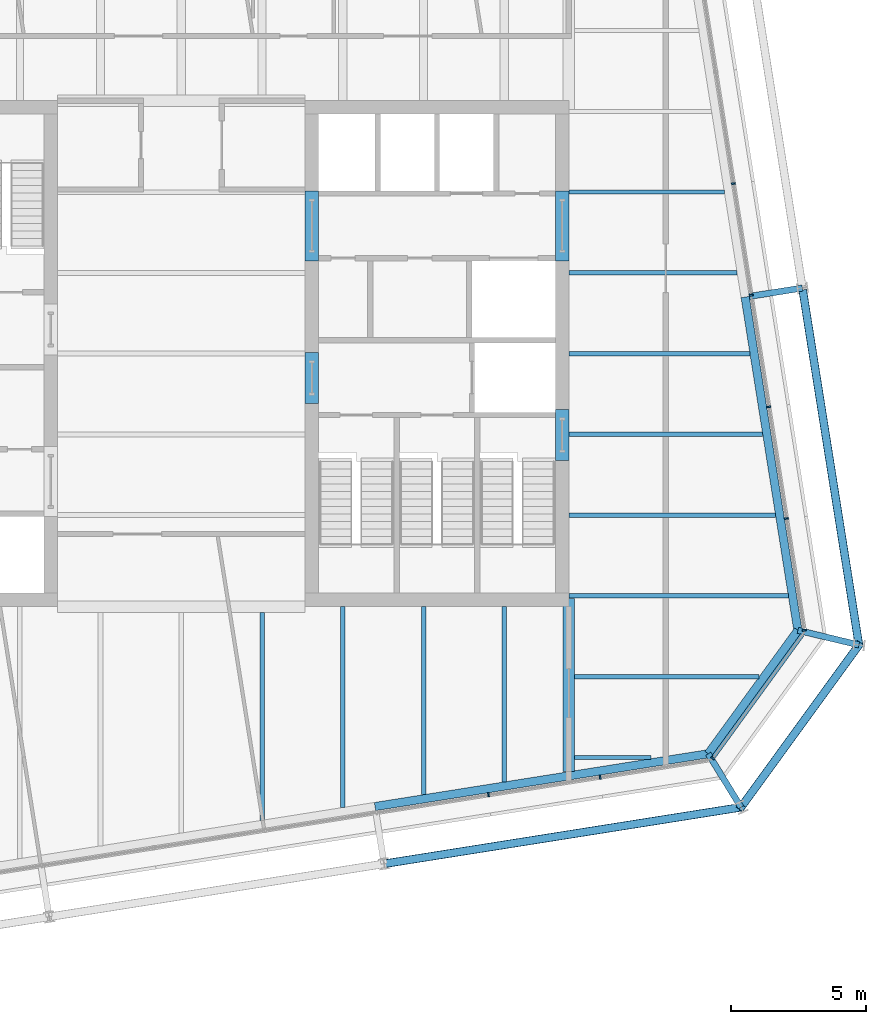
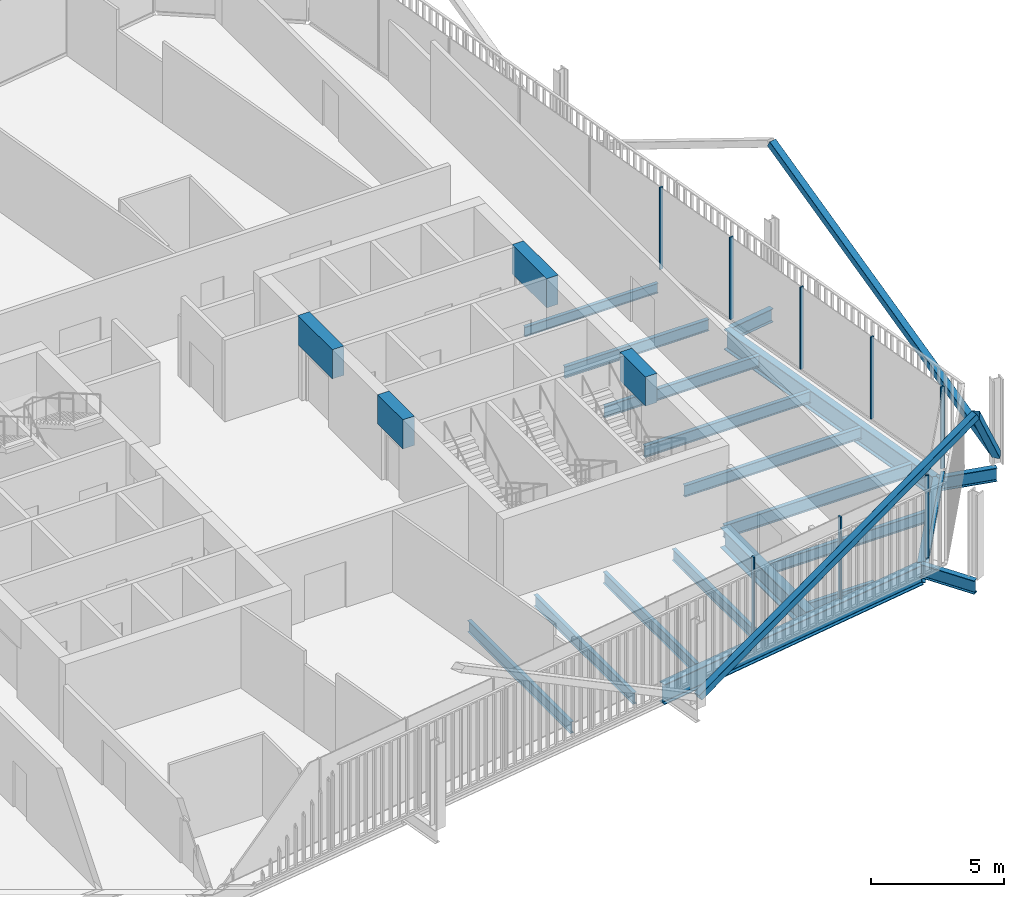
# One storey, part 9 of 21: 23 beams, 12 members, 3 elements without a shape of their own.
"""IFC4 building model written with IfcOpenShell, lengths in metres."""

from ifc_helpers import new_model, si_unit, direction, frame, origin, origin_2d, place, context, subcontext, project, spatial, rectangle, hollow_rectangle, i_section, extrude, material, layer, layer_set, material_profile, profile_set, type_object, element, aggregate, save


model = new_model("IFC4")

# Units and contexts
model_context = context("Model", 3, precision=1e-05, world=origin(), true_north=direction((0.0, 1.0)))
body_context = subcontext(model_context, "Body", "Model", "MODEL_VIEW")
ifc_project = project(units=[si_unit("LENGTHUNIT", "METRE"), si_unit("AREAUNIT", "SQUARE_METRE"), si_unit("VOLUMEUNIT", "CUBIC_METRE"), si_unit("PLANEANGLEUNIT", "RADIAN"), si_unit("MASSUNIT", "GRAM", prefix="KILO")], contexts=[model_context])

# Site, building, storey
site_placement = place(None, origin())
site = spatial("IfcSite", under=ifc_project, at=site_placement, CompositionType="ELEMENT")
building_placement = place(site_placement, origin())
building = spatial("IfcBuilding", under=site, at=building_placement, Name="Millrace Tower", CompositionType="ELEMENT")
storey_placement = place(building_placement, frame((0.0, 0.0, 247.39990234375)))
storey = spatial("IfcBuildingStorey", under=building, at=storey_placement, Name="L56", CompositionType="ELEMENT", Elevation=247.39990234375)

# Curtain wall, members
ifc_material_1 = material(Name="Aluminium and glass", Category="aluminium")
ifc_layer = layer(ifc_material_1, 0.14990234375)
ifc_layer_set = layer_set([ifc_layer], Name="Aluminium and glass")
curtain_wall_type = type_object("IfcCurtainWallType", Name="CW-1 office vision curtain wall", PredefinedType="NOTDEFINED", material=ifc_layer_set)
placement = place(storey_placement, origin())
curtain_wall_1 = element("IfcCurtainWall", 1, at=placement, inside=storey, type_object=curtain_wall_type, Name="Curtain wall D-F02 L56", PredefinedType="NOTDEFINED")
ifc_material_2 = material(Name="Aluminium", Category="aluminium")
ifc_material_profile_1 = material_profile(ifc_material_2, rectangle(XDim=0.06494140625, YDim=0.14990234375, at=origin_2d()))
ifc_profile_set_1 = profile_set([ifc_material_profile_1], Name="Aluminium")
member_type_1 = type_object("IfcMemberType", Name="CW-1 office vision curtain wall mullion", PredefinedType="MULLION", material=ifc_profile_set_1)
member_1_placement = place(storey_placement, frame((11.41259765625, -16.393310546875, 0.14013671875), z_axis=(0.0, 0.0, 1.0), x_axis=(0.987688339511, 0.156434471884, 0.0)))
member_1 = element("IfcMember", 2, at=member_1_placement, type_object=member_type_1, Name="CW1 mullion D-F02.8", PredefinedType="MULLION", context=body_context, shape_type="SweptSolid", body=[
    extrude(rectangle(XDim=0.06494140625, YDim=0.14990234375, at=origin_2d()), origin(), (0.0, 0.0, 1.0), 3.760009765625),
])
member_2_placement = place(storey_placement, frame((15.560791015625, -15.736328125, 0.14013671875), z_axis=(0.0, 0.0, 1.0), x_axis=(0.987688339511, 0.156434471884, 0.0)))
member_2 = element("IfcMember", 3, at=member_2_placement, type_object=member_type_1, Name="CW1 mullion D-F02.9", PredefinedType="MULLION", context=body_context, shape_type="SweptSolid", body=[
    extrude(rectangle(XDim=0.06494140625, YDim=0.14990234375, at=origin_2d()), origin(), (0.0, 0.0, 1.0), 3.760009765625),
])
aggregate(curtain_wall_1, [member_1, member_2])

# Curtain wall, member
curtain_wall_2 = element("IfcCurtainWall", 4, at=placement, inside=storey, type_object=curtain_wall_type, Name="Curtain wall D-F03 L56", PredefinedType="NOTDEFINED")
member_3_placement = place(storey_placement, frame((19.7451171875, -15.028076171875, 0.14013671875), z_axis=(0.0, 0.0, 1.0), x_axis=(0.587785305991, 0.809016955361, 0.0)))
member_3 = element("IfcMember", 5, at=member_3_placement, type_object=member_type_1, Name="CW1 mullion D-F03.1", PredefinedType="MULLION", context=body_context, shape_type="SweptSolid", body=[
    extrude(rectangle(XDim=0.06494140625, YDim=0.14990234375, at=origin_2d()), origin(), (0.0, 0.0, 1.0), 3.760009765625),
])

# Curtain wall, members
curtain_wall_3 = element("IfcCurtainWall", 6, at=placement, inside=storey, type_object=curtain_wall_type, Name="Curtain wall D-F04 L56", PredefinedType="NOTDEFINED")
member_4_placement = place(storey_placement, frame((23.142333984375, -10.275390625, 0.14013671875), z_axis=(0.0, 0.0, 1.0), x_axis=(-0.156434471884, 0.987688339511, 0.0)))
member_4 = element("IfcMember", 7, at=member_4_placement, type_object=member_type_1, Name="CW1 mullion D-F04.1", PredefinedType="MULLION", context=body_context, shape_type="SweptSolid", body=[
    extrude(rectangle(XDim=0.06494140625, YDim=0.14990234375, at=origin_2d()), origin(), (0.0, 0.0, 1.0), 3.760009765625),
])
member_5_placement = place(storey_placement, frame((22.4853515625, -6.127197265625, 0.14013671875), z_axis=(0.0, 0.0, 1.0), x_axis=(-0.156434471884, 0.987688339511, 0.0)))
member_5 = element("IfcMember", 8, at=member_5_placement, type_object=member_type_1, Name="CW1 mullion D-F04.2", PredefinedType="MULLION", context=body_context, shape_type="SweptSolid", body=[
    extrude(rectangle(XDim=0.06494140625, YDim=0.14990234375, at=origin_2d()), origin(), (0.0, 0.0, 1.0), 3.760009765625),
])
member_6_placement = place(storey_placement, frame((21.828369140625, -1.97900390625, 0.14013671875), z_axis=(0.0, 0.0, 1.0), x_axis=(-0.156434471884, 0.987688339511, 0.0)))
member_6 = element("IfcMember", 9, at=member_6_placement, type_object=member_type_1, Name="CW1 mullion D-F04.3", PredefinedType="MULLION", context=body_context, shape_type="SweptSolid", body=[
    extrude(rectangle(XDim=0.06494140625, YDim=0.14990234375, at=origin_2d()), origin(), (0.0, 0.0, 1.0), 3.760009765625),
])
member_7_placement = place(storey_placement, frame((21.17138671875, 2.16943359375, 0.14013671875), z_axis=(0.0, 0.0, 1.0), x_axis=(-0.156434471884, 0.987688339511, 0.0)))
member_7 = element("IfcMember", 10, at=member_7_placement, type_object=member_type_1, Name="CW1 mullion D-F04.4", PredefinedType="MULLION", context=body_context, shape_type="SweptSolid", body=[
    extrude(rectangle(XDim=0.06494140625, YDim=0.14990234375, at=origin_2d()), origin(), (0.0, 0.0, 1.0), 3.760009765625),
])
member_8_placement = place(storey_placement, frame((20.514404296875, 6.317626953125, 0.14013671875), z_axis=(0.0, 0.0, 1.0), x_axis=(-0.156434471884, 0.987688339511, 0.0)))
member_8 = element("IfcMember", 11, at=member_8_placement, type_object=member_type_1, Name="CW1 mullion D-F04.5", PredefinedType="MULLION", context=body_context, shape_type="SweptSolid", body=[
    extrude(rectangle(XDim=0.06494140625, YDim=0.14990234375, at=origin_2d()), origin(), (0.0, 0.0, 1.0), 3.760009765625),
])
aggregate(curtain_wall_3, [member_4, member_5, member_6, member_7, member_8])

# Member
ifc_material_3 = material(Name="Aluminium", Category="aluminium")
ifc_material_profile_2 = material_profile(ifc_material_3, rectangle(XDim=0.14990234375, YDim=0.139892578125, at=origin_2d()))
ifc_profile_set_2 = profile_set([ifc_material_profile_2], Name="Aluminium")
member_type_2 = type_object("IfcMemberType", Name="CW-1 office vision curtain wall transom", PredefinedType="USERDEFINED", material=ifc_profile_set_2)
member_9_placement = place(storey_placement, frame((19.78466796875, -14.973388671875, 0.070068359375), z_axis=(0.587811213399, 0.808998131891, 0.0), x_axis=(-0.808998131891, 0.587811213399, 0.0)))
member_9 = element("IfcMember", 12, at=member_9_placement, type_object=member_type_2, Name="CW1 transom D-F03.1", ObjectType="TRANSOM", PredefinedType="USERDEFINED", context=body_context, shape_type="SweptSolid", body=[
    extrude(rectangle(XDim=0.14990234375, YDim=0.139892578125, at=origin_2d()), origin(), (0.0, 0.0, 1.0), 5.598388671875),
])

aggregate(curtain_wall_2, [member_3, member_9])

# Beams
ifc_material_4 = material(Name="Concrete C60", Category="concrete")
ifc_material_profile_3 = material_profile(ifc_material_4, rectangle(XDim=0.5, YDim=1.340087890625, at=origin_2d()))
ifc_profile_set_3 = profile_set([ifc_material_profile_3], Name="Concrete C60")
beam_type_1 = type_object("IfcBeamType", Name="Coupling beam 500 x 1340 Concrete C60, 1300 opening", PredefinedType="BEAM", material=ifc_profile_set_3)
beam_1_placement = place(storey_placement, frame((14.14990234375, -2.080078125, 3.070068359375), z_axis=(0.0, -1.0, 0.0), x_axis=(1.0, 0.0, 0.0)))
element("IfcBeam", 13, at=beam_1_placement, inside=storey, type_object=beam_type_1, Name="Coupling beam E L56", PredefinedType="BEAM", context=body_context, shape_type="SweptSolid", body=[
    extrude(rectangle(XDim=0.5, YDim=1.340087890625, at=origin_2d()), origin(), (0.0, 0.0, 1.0), 1.89990234375),
])
beam_2_placement = place(storey_placement, frame((4.85009765625, 0.050048828125, 3.070068359375), z_axis=(0.0, -1.0, 0.0), x_axis=(1.0, 0.0, 0.0)))
element("IfcBeam", 14, at=beam_2_placement, inside=storey, type_object=beam_type_1, Name="Coupling beam E L56", PredefinedType="BEAM", context=body_context, shape_type="SweptSolid", body=[
    extrude(rectangle(XDim=0.5, YDim=1.340087890625, at=origin_2d()), origin(), (0.0, 0.0, 1.0), 1.900146484375),
])
ifc_material_5 = material(Name="Concrete C60", Category="concrete")
ifc_material_profile_4 = material_profile(ifc_material_5, rectangle(XDim=0.5, YDim=1.340087890625, at=origin_2d()))
ifc_profile_set_4 = profile_set([ifc_material_profile_4], Name="Concrete C60")
beam_type_2 = type_object("IfcBeamType", Name="Coupling beam 500 x 1340 Concrete C60, 2000 opening", PredefinedType="BEAM", material=ifc_profile_set_4)
for number, where, z_axis, x_axis, name in (
    (15, (14.14990234375, 6.050048828125, 3.070068359375), (0.0, -1.0, 0.0), (1.0, 0.0, 0.0), "Coupling beam E L56"),
    (16, (4.85009765625, 6.050048828125, 3.070068359375), (0.0, -1.0, 0.0), (1.0, 0.0, 0.0), "Coupling beam E L56"),
):
    element("IfcBeam", number, at=place(storey_placement, frame(where, z_axis=z_axis, x_axis=x_axis)), inside=storey, type_object=beam_type_2, Name=name, PredefinedType="BEAM", context=body_context, shape_type="SweptSolid", body=[
        extrude(rectangle(XDim=0.5, YDim=1.340087890625, at=origin_2d()), origin(), (0.0, 0.0, 1.0), 2.60009765625),
    ])

# Members
ifc_material_6 = material(Name="Steel ASTM A500 Grade C", Category="steel")
ifc_material_profile_5 = material_profile(ifc_material_6, hollow_rectangle(XDim=0.3046875, YDim=0.3046875, WallThickness=0.009521484375, InnerFilletRadius=0.004638671875, OuterFilletRadius=0.014404296875, at=origin_2d()))
ifc_profile_set_5 = profile_set([ifc_material_profile_5], Name="Steel ASTM A500 Grade C")
member_type_3 = type_object("IfcMemberType", Name="Exoskeleton brace HSS12x12x3/8", PredefinedType="BRACE", material=ifc_profile_set_5)
member_10_placement = place(storey_placement, frame((7.533203125, -18.956787109375, 0.400146484375), z_axis=(0.875833559472, 0.13872819238, 0.462244594065), x_axis=(-0.156445228811, 0.987686635721, 0.0)))
element("IfcMember", 17, at=member_10_placement, inside=storey, type_object=member_type_3, Name="BRC-D-L56-04", PredefinedType="BRACE", context=body_context, shape_type="SweptSolid", body=[
    extrude(hollow_rectangle(XDim=0.3046875, YDim=0.3046875, WallThickness=0.009521484375, InnerFilletRadius=0.004638671875, OuterFilletRadius=0.014404296875, at=origin_2d()), origin(), (0.0, 0.0, 1.0), 15.1435546875),
])
member_11_placement = place(storey_placement, frame((25.178466796875, -10.82470703125, 0.400146484375), z_axis=(-0.42850795905, -0.589774395252, 0.684504997598), x_axis=(0.809009310944, -0.587795827483, 0.0)))
element("IfcMember", 18, at=member_11_placement, inside=storey, type_object=member_type_3, Name="BRC-D-L56-05", PredefinedType="BRACE", context=body_context, shape_type="SweptSolid", body=[
    extrude(hollow_rectangle(XDim=0.3046875, YDim=0.3046875, WallThickness=0.009521484375, InnerFilletRadius=0.004638671875, OuterFilletRadius=0.014404296875, at=origin_2d()), origin(), (0.0, 0.0, 1.0), 10.226318359375),
])
member_12_placement = place(storey_placement, frame((25.178466796875, -10.82470703125, 0.400146484375), z_axis=(-0.13872819238, 0.875833559472, 0.462244594065), x_axis=(-0.987686635721, -0.156445228811, 0.0)))
element("IfcMember", 19, at=member_12_placement, inside=storey, type_object=member_type_3, Name="BRC-D-L56-06", PredefinedType="BRACE", context=body_context, shape_type="SweptSolid", body=[
    extrude(hollow_rectangle(XDim=0.3046875, YDim=0.3046875, WallThickness=0.009521484375, InnerFilletRadius=0.004638671875, OuterFilletRadius=0.014404296875, at=origin_2d()), origin(), (0.0, 0.0, 1.0), 15.1435546875),
])

# Beams
ifc_material_7 = material(Name="Steel ASTM A992 Grade 50", Category="steel")
ifc_material_profile_6 = material_profile(ifc_material_7, i_section(OverallWidth=0.15234375, OverallDepth=0.449462890625, WebThickness=0.007568359375, FlangeThickness=0.0107421875, FilletRadius=0.01025390625, at=origin_2d()))
ifc_profile_set_6 = profile_set([ifc_material_profile_6], Name="Steel ASTM A992 Grade 50")
beam_type_3 = type_object("IfcBeamType", Name="Floor beam W18x35", PredefinedType="JOIST", material=ifc_profile_set_6)
beam_3_placement = place(storey_placement, frame((14.39990234375, 6.0, -0.384765625), z_axis=(1.0, 0.0, 0.0), x_axis=(0.0, 1.0, 0.0)))
element("IfcBeam", 20, at=beam_3_placement, inside=storey, type_object=beam_type_3, Name="BM-D-L56-S1-S022", PredefinedType="JOIST", context=body_context, shape_type="SweptSolid", body=[
    extrude(i_section(OverallWidth=0.15234375, OverallDepth=0.449462890625, WebThickness=0.007568359375, FlangeThickness=0.0107421875, FilletRadius=0.01025390625, at=origin_2d()), origin(), (0.0, 0.0, 1.0), 5.777587890625),
])
beam_4_placement = place(storey_placement, frame((14.609619140625, -15.0, -0.384765625), z_axis=(1.0, 0.0, 0.0), x_axis=(0.0, 1.0, 0.0)))
element("IfcBeam", 21, at=beam_4_placement, inside=storey, type_object=beam_type_3, Name="BM-D-L56-S1-S003", PredefinedType="JOIST", context=body_context, shape_type="SweptSolid", body=[
    extrude(i_section(OverallWidth=0.15234375, OverallDepth=0.449462890625, WebThickness=0.007568359375, FlangeThickness=0.0107421875, FilletRadius=0.01025390625, at=origin_2d()), origin(), (0.0, 0.0, 1.0), 2.839599609375),
])
ifc_material_8 = material(Name="Steel ASTM A992 Grade 50", Category="steel")
ifc_material_profile_7 = material_profile(ifc_material_8, i_section(OverallWidth=0.1650390625, OverallDepth=0.52587890625, WebThickness=0.0087890625, FlangeThickness=0.011474609375, FilletRadius=0.0126953125, at=origin_2d()))
ifc_profile_set_7 = profile_set([ifc_material_profile_7], Name="Steel ASTM A992 Grade 50")
beam_type_4 = type_object("IfcBeamType", Name="Floor beam W21x44", PredefinedType="JOIST", material=ifc_profile_set_7)
beam_5_placement = place(storey_placement, frame((14.609619140625, -12.0, -0.4228515625), z_axis=(1.0, 0.0, 0.0), x_axis=(0.0, 1.0, 0.0)))
element("IfcBeam", 22, at=beam_5_placement, inside=storey, type_object=beam_type_4, Name="BM-D-L56-S1-S005", PredefinedType="JOIST", context=body_context, shape_type="SweptSolid", body=[
    extrude(i_section(OverallWidth=0.1650390625, OverallDepth=0.52587890625, WebThickness=0.0087890625, FlangeThickness=0.011474609375, FilletRadius=0.0126953125, at=origin_2d()), origin(), (0.0, 0.0, 1.0), 6.86279296875),
])
beam_6_placement = place(storey_placement, frame((14.39990234375, -6.0, -0.4228515625), z_axis=(1.0, 0.0, 0.0), x_axis=(0.0, 1.0, 0.0)))
element("IfcBeam", 23, at=beam_6_placement, inside=storey, type_object=beam_type_4, Name="BM-D-L56-S1-S010", PredefinedType="JOIST", context=body_context, shape_type="SweptSolid", body=[
    extrude(i_section(OverallWidth=0.1650390625, OverallDepth=0.52587890625, WebThickness=0.0087890625, FlangeThickness=0.011474609375, FilletRadius=0.0126953125, at=origin_2d()), origin(), (0.0, 0.0, 1.0), 7.67822265625),
])
beam_7_placement = place(storey_placement, frame((14.39990234375, -3.0, -0.4228515625), z_axis=(1.0, 0.0, 0.0), x_axis=(0.0, 1.0, 0.0)))
element("IfcBeam", 24, at=beam_7_placement, inside=storey, type_object=beam_type_4, Name="BM-D-L56-S1-S013", PredefinedType="JOIST", context=body_context, shape_type="SweptSolid", body=[
    extrude(i_section(OverallWidth=0.1650390625, OverallDepth=0.52587890625, WebThickness=0.0087890625, FlangeThickness=0.011474609375, FilletRadius=0.0126953125, at=origin_2d()), origin(), (0.0, 0.0, 1.0), 7.203125),
])
beam_8_placement = place(storey_placement, frame((14.39990234375, 0.0, -0.4228515625), z_axis=(1.0, 0.0, 0.0), x_axis=(0.0, 1.0, 0.0)))
element("IfcBeam", 25, at=beam_8_placement, inside=storey, type_object=beam_type_4, Name="BM-D-L56-S1-S016", PredefinedType="JOIST", context=body_context, shape_type="SweptSolid", body=[
    extrude(i_section(OverallWidth=0.1650390625, OverallDepth=0.52587890625, WebThickness=0.0087890625, FlangeThickness=0.011474609375, FilletRadius=0.0126953125, at=origin_2d()), origin(), (0.0, 0.0, 1.0), 6.72802734375),
])
beam_9_placement = place(storey_placement, frame((14.39990234375, 3.0, -0.4228515625), z_axis=(1.0, 0.0, 0.0), x_axis=(0.0, 1.0, 0.0)))
element("IfcBeam", 26, at=beam_9_placement, inside=storey, type_object=beam_type_4, Name="BM-D-L56-S1-S019", PredefinedType="JOIST", context=body_context, shape_type="SweptSolid", body=[
    extrude(i_section(OverallWidth=0.1650390625, OverallDepth=0.52587890625, WebThickness=0.0087890625, FlangeThickness=0.011474609375, FilletRadius=0.0126953125, at=origin_2d()), origin(), (0.0, 0.0, 1.0), 6.252685546875),
])
beam_10_placement = place(storey_placement, frame((3.0, -17.338623046875, -0.4228515625), z_axis=(0.0, 1.0, 0.0), x_axis=(-1.0, 0.0, 0.0)))
element("IfcBeam", 27, at=beam_10_placement, inside=storey, type_object=beam_type_4, Name="BM-D-L56-S1-S047", PredefinedType="JOIST", context=body_context, shape_type="SweptSolid", body=[
    extrude(i_section(OverallWidth=0.1650390625, OverallDepth=0.52587890625, WebThickness=0.0087890625, FlangeThickness=0.011474609375, FilletRadius=0.0126953125, at=origin_2d()), origin(), (0.0, 0.0, 1.0), 7.72900390625),
])
beam_11_placement = place(storey_placement, frame((6.0, -16.863525390625, -0.4228515625), z_axis=(0.0, 1.0, 0.0), x_axis=(-1.0, 0.0, 0.0)))
element("IfcBeam", 28, at=beam_11_placement, inside=storey, type_object=beam_type_4, Name="BM-D-L56-S1-S049", PredefinedType="JOIST", context=body_context, shape_type="SweptSolid", body=[
    extrude(i_section(OverallWidth=0.1650390625, OverallDepth=0.52587890625, WebThickness=0.0087890625, FlangeThickness=0.011474609375, FilletRadius=0.0126953125, at=origin_2d()), origin(), (0.0, 0.0, 1.0), 7.463623046875),
])
beam_12_placement = place(storey_placement, frame((9.0, -16.38818359375, -0.4228515625), z_axis=(0.0, 1.0, 0.0), x_axis=(-1.0, 0.0, 0.0)))
element("IfcBeam", 29, at=beam_12_placement, inside=storey, type_object=beam_type_4, Name="BM-D-L56-S1-S051", PredefinedType="JOIST", context=body_context, shape_type="SweptSolid", body=[
    extrude(i_section(OverallWidth=0.1650390625, OverallDepth=0.52587890625, WebThickness=0.0087890625, FlangeThickness=0.011474609375, FilletRadius=0.0126953125, at=origin_2d()), origin(), (0.0, 0.0, 1.0), 6.98828125),
])
beam_13_placement = place(storey_placement, frame((12.0, -15.9130859375, -0.4228515625), z_axis=(0.0, 1.0, 0.0), x_axis=(-1.0, 0.0, 0.0)))
element("IfcBeam", 30, at=beam_13_placement, inside=storey, type_object=beam_type_4, Name="BM-D-L56-S1-S053", PredefinedType="JOIST", context=body_context, shape_type="SweptSolid", body=[
    extrude(i_section(OverallWidth=0.1650390625, OverallDepth=0.52587890625, WebThickness=0.0087890625, FlangeThickness=0.011474609375, FilletRadius=0.0126953125, at=origin_2d()), origin(), (0.0, 0.0, 1.0), 6.51318359375),
])
ifc_material_9 = material(Name="Steel ASTM A992 Grade 50", Category="steel")
ifc_material_profile_8 = material_profile(ifc_material_9, i_section(OverallWidth=0.177978515625, OverallDepth=0.599365234375, WebThickness=0.010009765625, FlangeThickness=0.012939453125, FilletRadius=0.012939453125, at=origin_2d()))
ifc_profile_set_8 = profile_set([ifc_material_profile_8], Name="Steel ASTM A992 Grade 50")
beam_type_5 = type_object("IfcBeamType", Name="Floor beam W24x55", PredefinedType="JOIST", material=ifc_profile_set_8)
beam_14_placement = place(storey_placement, frame((14.39990234375, -9.0, -0.459716796875), z_axis=(1.0, 0.0, 0.0), x_axis=(0.0, 1.0, 0.0)))
element("IfcBeam", 31, at=beam_14_placement, inside=storey, type_object=beam_type_5, Name="BM-D-L56-S1-S007", PredefinedType="JOIST", context=body_context, shape_type="SweptSolid", body=[
    extrude(i_section(OverallWidth=0.177978515625, OverallDepth=0.599365234375, WebThickness=0.010009765625, FlangeThickness=0.012939453125, FilletRadius=0.012939453125, at=origin_2d()), origin(), (0.0, 0.0, 1.0), 8.1533203125),
])
ifc_material_10 = material(Name="Steel ASTM A992 Grade 50", Category="steel")
ifc_material_profile_9 = material_profile(ifc_material_10, i_section(OverallWidth=0.419189453125, OverallDepth=0.927001953125, WebThickness=0.019287109375, FlangeThickness=0.031982421875, FilletRadius=0.024169921875, at=origin_2d()))
ifc_profile_set_9 = profile_set([ifc_material_profile_9], Name="Steel ASTM A992 Grade 50")
beam_type_6 = type_object("IfcBeamType", Name="Girder short span W36x231", PredefinedType="BEAM", material=ifc_profile_set_9)
beam_15_placement = place(storey_placement, frame((14.39990234375, -15.52490234375, -0.62353515625), z_axis=(0.0, 1.0, 0.0), x_axis=(-1.0, 0.0, 0.0)))
element("IfcBeam", 32, at=beam_15_placement, inside=storey, type_object=beam_type_6, Name="BM-D-L56-S1-G057", PredefinedType="BEAM", context=body_context, shape_type="SweptSolid", body=[
    extrude(i_section(OverallWidth=0.419189453125, OverallDepth=0.927001953125, WebThickness=0.019287109375, FlangeThickness=0.031982421875, FilletRadius=0.024169921875, at=origin_2d()), origin(), (0.0, 0.0, 1.0), 6.432861328125),
])
ifc_material_11 = material(Name="Steel ASTM A992 Grade 50", Category="steel")
ifc_material_profile_10 = material_profile(ifc_material_11, i_section(OverallWidth=0.23046875, OverallDepth=0.6171875, WebThickness=0.01318359375, FlangeThickness=0.022216796875, FilletRadius=0.012939453125, at=origin_2d()))
ifc_profile_set_10 = profile_set([ifc_material_profile_10], Name="Steel ASTM A992 Grade 50")
beam_type_7 = type_object("IfcBeamType", Name="Link beam W24x94", PredefinedType="BEAM", material=ifc_profile_set_10)
beam_16_placement = place(storey_placement, frame((21.102294921875, 2.12548828125, -0.468505859375), z_axis=(0.987678691416, 0.156495375404, 0.0), x_axis=(-0.156495375404, 0.987678691416, 0.0)))
element("IfcBeam", 33, at=beam_16_placement, inside=storey, type_object=beam_type_7, Name="LNK-D-L56-S1-11", PredefinedType="BEAM", context=body_context, shape_type="SweptSolid", body=[
    extrude(i_section(OverallWidth=0.23046875, OverallDepth=0.6171875, WebThickness=0.01318359375, FlangeThickness=0.022216796875, FilletRadius=0.012939453125, at=origin_2d()), origin(), (0.0, 0.0, 1.0), 2.0),
])
beam_17_placement = place(storey_placement, frame((22.91162109375, -10.280517578125, -0.468505859375), z_axis=(0.972373041068, -0.233432364948, 0.0), x_axis=(0.233432364948, 0.972373041068, 0.0)))
element("IfcBeam", 34, at=beam_17_placement, inside=storey, type_object=beam_type_7, Name="LNK-D-L56-S1-12", PredefinedType="BEAM", context=body_context, shape_type="SweptSolid", body=[
    extrude(i_section(OverallWidth=0.23046875, OverallDepth=0.6171875, WebThickness=0.01318359375, FlangeThickness=0.022216796875, FilletRadius=0.012939453125, at=origin_2d()), origin(), (0.0, 0.0, 1.0), 2.331298828125),
])
beam_18_placement = place(storey_placement, frame((19.578369140625, -14.868408203125, -0.468505859375), z_axis=(0.522512938711, -0.852631355792, 0.0), x_axis=(0.852631355792, 0.522512938711, 0.0)))
element("IfcBeam", 35, at=beam_18_placement, inside=storey, type_object=beam_type_7, Name="LNK-D-L56-S1-13", PredefinedType="BEAM", context=body_context, shape_type="SweptSolid", body=[
    extrude(i_section(OverallWidth=0.23046875, OverallDepth=0.6171875, WebThickness=0.01318359375, FlangeThickness=0.022216796875, FilletRadius=0.012939453125, at=origin_2d()), origin(), (0.0, 0.0, 1.0), 2.3310546875),
])
ifc_material_12 = material(Name="Steel ASTM A992 Grade 50", Category="steel")
ifc_material_profile_11 = material_profile(ifc_material_12, i_section(OverallWidth=0.307373046875, OverallDepth=0.927001953125, WebThickness=0.01953125, FlangeThickness=0.031982421875, FilletRadius=0.01904296875, at=origin_2d()))
ifc_profile_set_11 = profile_set([ifc_material_profile_11], Name="Steel ASTM A992 Grade 50")
beam_type_8 = type_object("IfcBeamType", Name="Ring beam medium span W36x194", PredefinedType="SPANDREL", material=ifc_profile_set_11)
for number, where, z_axis, x_axis, name in (
    (36, (20.95068359375, 2.1015625, -0.62353515625), (0.156419577072, -0.987690698503, 0.0), (0.987690698503, 0.156419577072, 0.0), "RNG-D-L56-S1-11"),
    (37, (19.578369140625, -14.868408203125, -0.62353515625), (-0.987687689625, -0.156438575049, 0.0), (0.156438575049, -0.987687689625, 0.0), "RNG-D-L56-S1-13"),
):
    element("IfcBeam", number, at=place(storey_placement, frame(where, z_axis=z_axis, x_axis=x_axis)), inside=storey, type_object=beam_type_8, Name=name, PredefinedType="SPANDREL", context=body_context, shape_type="SweptSolid", body=[
        extrude(i_section(OverallWidth=0.307373046875, OverallDepth=0.927001953125, WebThickness=0.01953125, FlangeThickness=0.031982421875, FilletRadius=0.01904296875, at=origin_2d()), origin(), (0.0, 0.0, 1.0), 12.536376953125),
    ])
ifc_material_13 = material(Name="Steel ASTM A992 Grade 50", Category="steel")
ifc_material_profile_12 = material_profile(ifc_material_13, i_section(OverallWidth=0.307373046875, OverallDepth=0.927001953125, WebThickness=0.01953125, FlangeThickness=0.031982421875, FilletRadius=0.01904296875, at=origin_2d()))
ifc_profile_set_12 = profile_set([ifc_material_profile_12], Name="Steel ASTM A992 Grade 50")
beam_type_9 = type_object("IfcBeamType", Name="Ring beam short span W36x194", PredefinedType="SPANDREL", material=ifc_profile_set_12)
beam_19_placement = place(storey_placement, frame((22.91162109375, -10.280517578125, -0.62353515625), z_axis=(-0.587779977844, -0.80902082646, 0.0), x_axis=(0.80902082646, -0.587779977844, 0.0)))
element("IfcBeam", 38, at=beam_19_placement, inside=storey, type_object=beam_type_9, Name="RNG-D-L56-S1-12", PredefinedType="SPANDREL", context=body_context, shape_type="SweptSolid", body=[
    extrude(i_section(OverallWidth=0.307373046875, OverallDepth=0.927001953125, WebThickness=0.01953125, FlangeThickness=0.031982421875, FilletRadius=0.01904296875, at=origin_2d()), origin(), (0.0, 0.0, 1.0), 5.6708984375),
])

save(model, "model.ifc")
